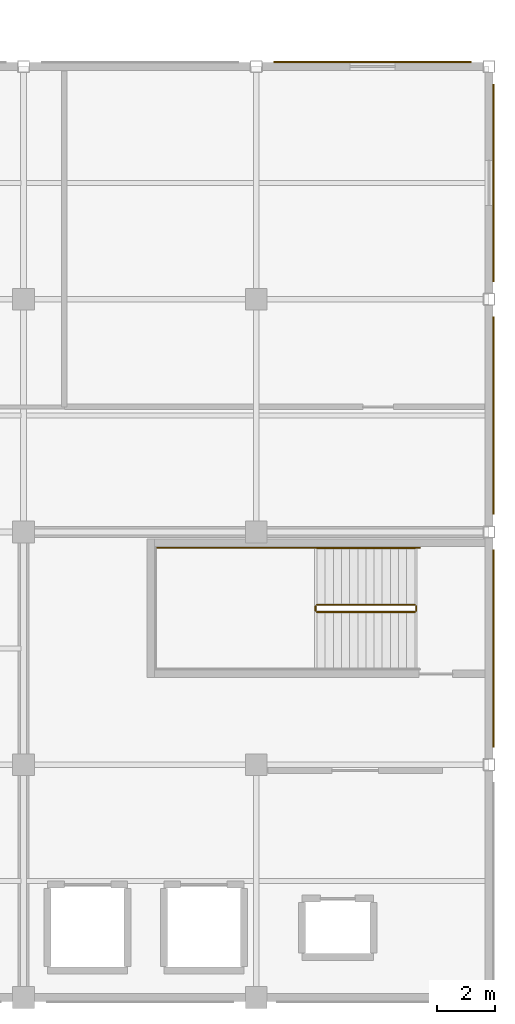
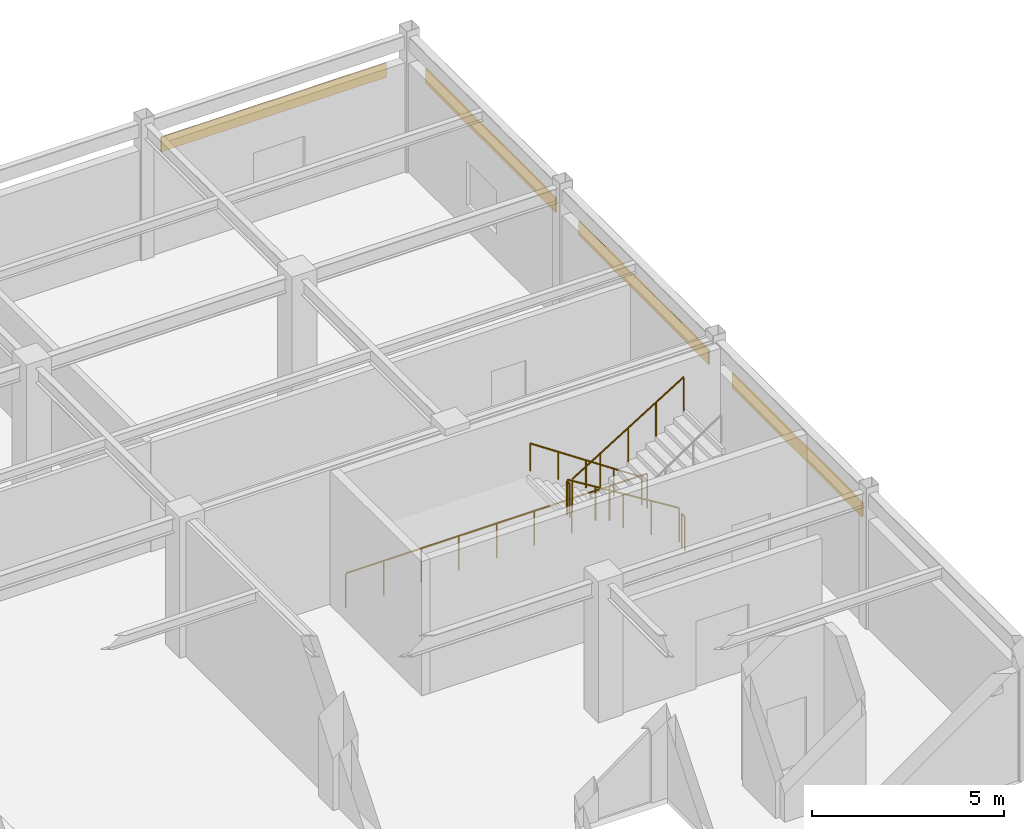
# One storey, part 42 of 42: 6 railings, 4 coverings.
"""IFC4 building model written with IfcOpenShell, lengths in metres."""

import ifcopenshell
import ifcopenshell.guid

model = None  # the IFC model being written
_history = None  # IfcOwnerHistory: only IFC2X3 demands one
_inside = {}  # id of a spatial element -> (the spatial element, [elements in it])
_under = {}  # id of a project, library or spatial element -> (it, [spatial elements below it])
_declared = {}  # id of a project -> (the project, [libraries it declares])
_typed = {}  # id of a type object -> (the type object, [elements of that type])
_made_of = {}  # id of a material, layer set ... -> (it, [elements and type objects made of it])


def new_model(schema):
    """Start an empty IFC model of exactly this schema.

    Asked for "IFC4X3", IfcOpenShell would pick the latest addendum, in which some entities
    have other attributes; the version numbers below select the first issue.
    IFC2X3 requires an IfcOwnerHistory on every rooted entity: one is made here for all.
    """
    global model, _history
    if schema == "IFC4X3":
        model = ifcopenshell.file(schema_version=(4, 3, 0, 0))
    else:
        model = ifcopenshell.file(schema=schema)
    _inside.clear()
    _under.clear()
    _declared.clear()
    _typed.clear()
    _made_of.clear()
    _history = None
    if model.schema == "IFC2X3":
        org = make("IfcOrganization", Name="unknown")
        user = make(
            "IfcPersonAndOrganization",
            ThePerson=make("IfcPerson", FamilyName="unknown"),
            TheOrganization=org,
        )
        app = make(
            "IfcApplication",
            ApplicationDeveloper=org,
            Version="unknown",
            ApplicationFullName="unknown",
            ApplicationIdentifier="unknown",
        )
        _history = make(
            "IfcOwnerHistory",
            OwningUser=user,
            OwningApplication=app,
            ChangeAction="ADDED",
            CreationDate=0,
        )
    return model


def make(cls, **values):
    """One entity of the class cls with the attributes given. An attribute that is None is left unset."""
    return model.create_entity(
        cls, **{name: value for name, value in values.items() if value is not None}
    )


def rooted(cls, **values):
    """An entity with a GlobalId (a new one), such as an element, a storey or a relation."""
    return make(cls, GlobalId=ifcopenshell.guid.new(), OwnerHistory=_history, **values)


def si_unit(unit_type, name, prefix=None):
    """IfcSIUnit, for example si_unit("LENGTHUNIT", "METRE", prefix="MILLI")."""
    return make("IfcSIUnit", UnitType=unit_type, Prefix=prefix, Name=name)


def assignment(units):
    """IfcUnitAssignment: the units of a project."""
    return None if units is None else make("IfcUnitAssignment", Units=units)


def point(xyz):
    """IfcCartesianPoint."""
    return None if xyz is None else make("IfcCartesianPoint", Coordinates=xyz)


def direction(xyz):
    """IfcDirection."""
    return None if xyz is None else make("IfcDirection", DirectionRatios=xyz)


def frame(location, z_axis=None, x_axis=None):
    """IfcAxis2Placement3D, a coordinate frame: its origin and axes. An axis left out is left unset."""
    return make(
        "IfcAxis2Placement3D",
        Location=point(location),
        Axis=direction(z_axis),
        RefDirection=direction(x_axis),
    )


def frame_2d(location, x_axis=None):
    """IfcAxis2Placement2D, a coordinate frame in the plane: its origin and x axis."""
    return make(
        "IfcAxis2Placement2D", Location=point(location), RefDirection=direction(x_axis)
    )


def origin():
    """The frame at (0, 0, 0) with its axes left unset."""
    return frame((0.0, 0.0, 0.0))


def origin_2d():
    """The frame at (0, 0) in the plane with its x axis left unset."""
    return frame_2d((0.0, 0.0))


def place(relative_to, where):
    """IfcLocalPlacement: puts the frame where relative to a parent placement (None: the world)."""
    return make(
        "IfcLocalPlacement", PlacementRelTo=relative_to, RelativePlacement=where
    )


def context(
    kind, dimensions, precision=None, world=None, true_north=None, identifier=None
):
    """IfcGeometricRepresentationContext, for example the 3D "Model" context."""
    return make(
        "IfcGeometricRepresentationContext",
        ContextIdentifier=identifier,
        ContextType=kind,
        CoordinateSpaceDimension=dimensions,
        Precision=precision,
        WorldCoordinateSystem=world,
        TrueNorth=true_north,
    )


def subcontext(parent, identifier, kind, view, scale=None):
    """IfcGeometricRepresentationSubContext, for example "Body" below "Model"."""
    return make(
        "IfcGeometricRepresentationSubContext",
        ContextIdentifier=identifier,
        ContextType=kind,
        ParentContext=parent,
        TargetScale=scale,
        TargetView=view,
    )


def project(units=None, contexts=None):
    """IfcProject with its units and contexts."""
    return rooted(
        "IfcProject",
        Name="project",
        RepresentationContexts=contexts,
        UnitsInContext=assignment(units),
    )


def spatial(cls, under=None, at=None, **own):
    """A site, building, storey or space (cls), placed at a placement, below another one or the project."""
    s = rooted(cls, ObjectPlacement=at, **own)
    if under is not None:
        _under.setdefault(under.id(), (under, []))[1].append(s)
    return s


def profile(cls, at=None, kind="AREA", **sizes):
    """A parametric profile (cls). Its sizes go by their IFC names, for example OverallWidth=200.0."""
    return make(cls, ProfileType=kind, Position=at, **sizes)


def rectangle(**sizes):
    """IfcRectangleProfileDef."""
    return profile("IfcRectangleProfileDef", **sizes)


def circle(**sizes):
    """IfcCircleProfileDef."""
    return profile("IfcCircleProfileDef", **sizes)


def extrude(swept, where, along, depth):
    """IfcExtrudedAreaSolid: the profile swept, set in the frame where, extruded along a direction by depth."""
    return make(
        "IfcExtrudedAreaSolid",
        SweptArea=swept,
        Position=where,
        ExtrudedDirection=direction(along),
        Depth=depth,
    )


def shape(context_of_items, identifier, shape_type, items):
    """IfcShapeRepresentation: the items that make up one representation, for example the "Body"."""
    return make(
        "IfcShapeRepresentation",
        ContextOfItems=context_of_items,
        RepresentationIdentifier=identifier,
        RepresentationType=shape_type,
        Items=items,
    )


def material(Name=None, Category=None):
    """IfcMaterial."""
    return make("IfcMaterial", Name=Name, Category=Category)


def layer(
    of_material, thickness, ventilated=None, Name=None, Category=None, Priority=None
):
    """IfcMaterialLayer: one layer of a wall or slab, of a material (None: an air gap)."""
    return make(
        "IfcMaterialLayer",
        Material=of_material,
        LayerThickness=thickness,
        IsVentilated=ventilated,
        Name=Name,
        Category=Category,
        Priority=Priority,
    )


def layer_set(layers, Name=None):
    """IfcMaterialLayerSet."""
    return make("IfcMaterialLayerSet", MaterialLayers=layers, LayerSetName=Name)


def made_of(thing, what):
    """Note that an element or type object is made of a material, layer set ...; save() writes the relation."""
    if what is not None:
        _made_of.setdefault(what.id(), (what, []))[1].append(thing)
    return thing


def type_object(cls, material=None, **own):
    """A type object (cls), such as IfcWallType, which elements share."""
    return made_of(rooted(cls, **own), material)


def element(
    cls,
    number,
    at=None,
    inside=None,
    cuts=None,
    type_object=None,
    material=None,
    context=None,
    identifier="Body",
    shape_type=None,
    held_by="IfcProductDefinitionShape",
    body=None,
    shapes=None,
    **own,
):
    """One element of the class cls, such as IfcWall. Its Tag is "e" and its number.

    at: its placement. inside: the storey or other place that contains it. cuts: it is an
    opening in that element (IfcRelVoidsElement). A single representation is given by context,
    identifier, shape_type and body (its items); several are given by shapes. held_by: the class
    of the entity that holds the representations. save() writes the other relations.
    """
    e = rooted(cls, Tag="e%d" % number, ObjectPlacement=at, **own)
    if body is not None:
        shapes = [shape(context, identifier, shape_type, body)]
    if shapes is not None:
        e.Representation = make(held_by, Representations=shapes)
    if inside is not None:
        _inside.setdefault(inside.id(), (inside, []))[1].append(e)
    if cuts is not None:
        rooted(
            "IfcRelVoidsElement", RelatingBuildingElement=cuts, RelatedOpeningElement=e
        )
    if type_object is not None:
        _typed.setdefault(type_object.id(), (type_object, []))[1].append(e)
    return made_of(e, material)


def aggregate(whole, parts):
    """IfcRelAggregates: a whole, such as a stair, and the parts it consists of."""
    return rooted("IfcRelAggregates", RelatingObject=whole, RelatedObjects=parts)


def save(model, path):
    """Write the relations noted so far, then the file.

    IfcRelAggregates (storeys below a building ...), IfcRelContainedInSpatialStructure (elements
    in a storey), IfcRelDefinesByType, IfcRelAssociatesMaterial and IfcRelDeclares: one each for
    every whole, place, type object, material and project.
    """
    for whole, parts in _under.values():
        aggregate(whole, parts)
    for where, things in _inside.values():
        rooted(
            "IfcRelContainedInSpatialStructure",
            RelatedElements=things,
            RelatingStructure=where,
        )
    for kind, things in _typed.values():
        rooted("IfcRelDefinesByType", RelatedObjects=things, RelatingType=kind)
    for what, things in _made_of.values():
        rooted("IfcRelAssociatesMaterial", RelatedObjects=things, RelatingMaterial=what)
    for by, libraries in _declared.values():
        rooted("IfcRelDeclares", RelatingContext=by, RelatedDefinitions=libraries)
    model.write(path)


model = new_model("IFC4")

# Units and contexts
model_context = context("Model", 3, precision=1e-05, world=origin(), true_north=direction((0.0, 1.0)))
body_context = subcontext(model_context, "Body", "Model", "MODEL_VIEW")
ifc_project = project(units=[si_unit("LENGTHUNIT", "METRE"), si_unit("AREAUNIT", "SQUARE_METRE"), si_unit("VOLUMEUNIT", "CUBIC_METRE"), si_unit("PLANEANGLEUNIT", "RADIAN"), si_unit("MASSUNIT", "GRAM", prefix="KILO")], contexts=[model_context])

# Site, building, storey
site_placement = place(None, origin())
site = spatial("IfcSite", under=ifc_project, at=site_placement, CompositionType="ELEMENT")
building_placement = place(site_placement, origin())
building = spatial("IfcBuilding", under=site, at=building_placement, Name="Solmirada Galleria", CompositionType="ELEMENT")
storey_placement = place(building_placement, frame((0.0, 0.0, 28.39990234375)))
storey = spatial("IfcBuildingStorey", under=building, at=storey_placement, Name="L06", CompositionType="ELEMENT", Elevation=28.39990234375)

# Coverings
ifc_material_1 = material(Name="Limestone cladding panels", Category="masonry")
ifc_layer_1 = layer(ifc_material_1, 0.044921875)
ifc_layer_set_1 = layer_set([ifc_layer_1], Name="Limestone cladding panels")
covering_type_1 = type_object("IfcCoveringType", Name="COV-CLAD-LIME", PredefinedType="CLADDING", material=ifc_layer_set_1)
for number, where, z_axis, x_axis, name in (
    (1, (176.157470703125, 116.0, 2.990234375), (0.0, 0.0, 1.0), (0.0, -1.0, 0.0), "Postmodern facade cladding L06-395"),
    (2, (176.157470703125, 100.0, 2.990234375), (0.0, 0.0, 1.0), (0.0, -1.0, 0.0), "Postmodern facade cladding L06-397"),
):
    element("IfcCovering", number, at=place(storey_placement, frame(where, z_axis=z_axis, x_axis=x_axis)), inside=storey, type_object=covering_type_1, Name=name, PredefinedType="CLADDING", context=body_context, shape_type="SweptSolid", body=[
        extrude(rectangle(XDim=6.7939453125, YDim=0.044921875, at=origin_2d()), origin(), (0.0, 0.0, 1.0), 0.4599609375),
    ])
ifc_material_2 = material(Name="Glazed terracotta facade panels", Category="masonry")
ifc_layer_2 = layer(ifc_material_2, 0.0400390625)
ifc_layer_set_2 = layer_set([ifc_layer_2], Name="Glazed terracotta facade panels")
covering_type_2 = type_object("IfcCoveringType", Name="COV-CLAD-TERRA", PredefinedType="CLADDING", material=ifc_layer_set_2)
for number, where, z_axis, x_axis, name in (
    (3, (172.0, 120.155029296875, 2.990234375), (0.0, 0.0, 1.0), (1.0, 0.0, 0.0), "Postmodern facade cladding L06-394"),
    (4, (176.155029296875, 108.0, 2.990234375), (0.0, 0.0, 1.0), (0.0, -1.0, 0.0), "Postmodern facade cladding L06-396"),
):
    element("IfcCovering", number, at=place(storey_placement, frame(where, z_axis=z_axis, x_axis=x_axis)), inside=storey, type_object=covering_type_2, Name=name, PredefinedType="CLADDING", context=body_context, shape_type="SweptSolid", body=[
        extrude(rectangle(XDim=6.7939453125, YDim=0.0400390625, at=origin_2d()), origin(), (0.0, 0.0, 1.0), 0.4599609375),
    ])

# Railings
ifc_material_3 = material(Name="Painted steel tubular railing", Category="steel")
railing_type_1 = type_object("IfcRailingType", Name="RAIL-STAIR-GUARD", PredefinedType="GUARDRAIL", material=ifc_material_3)
railing_1_placement = place(storey_placement, frame((173.449951171875, 101.5, 0.173095703125)))
element("IfcRailing", 5, at=railing_1_placement, inside=storey, type_object=railing_type_1, Name="L06 ST4 stair guard 1", PredefinedType="GUARDRAIL", context=body_context, shape_type="SweptSolid", body=[
    extrude(circle(Radius=0.02392578125, at=origin_2d()), frame((0.0, 0.0, 1.076171875), z_axis=(-0.850606129759, 0.0, 0.525803396734), x_axis=(0.0, -1.0, 0.0)), (0.0, 0.0, 1.0), 3.949951171875),
    extrude(circle(Radius=0.02099609375, at=origin_2d()), origin(), (0.0, 0.0, 1.0), 1.048095703125),
    extrude(circle(Radius=0.02099609375, at=origin_2d()), frame((-0.83984375, 0.0, 0.519287109375)), (0.0, 0.0, 1.0), 1.048095703125),
    extrude(circle(Radius=0.02099609375, at=origin_2d()), frame((-1.679931640625, 0.0, 1.03857421875)), (0.0, 0.0, 1.0), 1.048095703125),
    extrude(circle(Radius=0.02099609375, at=origin_2d()), frame((-2.52001953125, 0.0, 1.5576171875)), (0.0, 0.0, 1.0), 1.048095703125),
    extrude(circle(Radius=0.02099609375, at=origin_2d()), frame((-3.35986328125, 0.0, 2.076904296875)), (0.0, 0.0, 1.0), 1.048095703125),
])
railing_2_placement = place(storey_placement, frame((170.0400390625, 101.449951171875, 2.25)))
element("IfcRailing", 6, at=railing_2_placement, inside=storey, type_object=railing_type_1, Name="L06 ST4 stair guard 2", PredefinedType="GUARDRAIL", context=body_context, shape_type="SweptSolid", body=[
    extrude(circle(Radius=0.02392578125, at=origin_2d()), frame((0.0, 0.0, 1.076171875), z_axis=(0.0, -1.0, 0.0), x_axis=(1.0, 0.0, 0.0)), (0.0, 0.0, 1.0), 0.14990234375),
    extrude(circle(Radius=0.02099609375, at=origin_2d()), origin(), (0.0, 0.0, 1.0), 1.048095703125),
    extrude(circle(Radius=0.02099609375, at=origin_2d()), frame((0.0, -0.14990234375, 0.0)), (0.0, 0.0, 1.0), 1.048095703125),
])
railing_3_placement = place(storey_placement, frame((170.090087890625, 101.25, 2.423095703125)))
element("IfcRailing", 7, at=railing_3_placement, inside=storey, type_object=railing_type_1, Name="L06 ST4 stair guard 3", PredefinedType="GUARDRAIL", context=body_context, shape_type="SweptSolid", body=[
    extrude(circle(Radius=0.02392578125, at=origin_2d()), frame((0.0, 0.0, 1.076171875), z_axis=(0.850606129759, 0.0, 0.525803396734), x_axis=(0.0, 1.0, 0.0)), (0.0, 0.0, 1.0), 3.949951171875),
    extrude(circle(Radius=0.02099609375, at=origin_2d()), origin(), (0.0, 0.0, 1.0), 1.048095703125),
    extrude(circle(Radius=0.02099609375, at=origin_2d()), frame((0.83984375, 0.0, 0.519287109375)), (0.0, 0.0, 1.0), 1.048095703125),
    extrude(circle(Radius=0.02099609375, at=origin_2d()), frame((1.679931640625, 0.0, 1.03857421875)), (0.0, 0.0, 1.0), 1.048095703125),
    extrude(circle(Radius=0.02099609375, at=origin_2d()), frame((2.52001953125, 0.0, 1.5576171875)), (0.0, 0.0, 1.0), 1.048095703125),
    extrude(circle(Radius=0.02099609375, at=origin_2d()), frame((3.35986328125, 0.0, 2.076904296875)), (0.0, 0.0, 1.0), 1.048095703125),
])
railing_4_placement = place(storey_placement, frame((173.5, 101.449951171875, 0.0)))
element("IfcRailing", 8, at=railing_4_placement, inside=storey, type_object=railing_type_1, Name="L06 ST4 stair guard 4", PredefinedType="GUARDRAIL", context=body_context, shape_type="SweptSolid", body=[
    extrude(circle(Radius=0.02392578125, at=origin_2d()), frame((0.0, 0.0, 1.076171875), z_axis=(0.0, -1.0, 0.0), x_axis=(1.0, 0.0, 0.0)), (0.0, 0.0, 1.0), 0.14990234375),
    extrude(circle(Radius=0.02099609375, at=origin_2d()), origin(), (0.0, 0.0, 1.0), 1.048095703125),
    extrude(circle(Radius=0.02099609375, at=origin_2d()), frame((0.0, -0.14990234375, 0.0)), (0.0, 0.0, 1.0), 1.048095703125),
])
railing_5_placement = place(storey_placement, frame((164.5400390625, 103.4599609375, 0.0)))
element("IfcRailing", 9, at=railing_5_placement, inside=storey, type_object=railing_type_1, Name="Stair ST4 well edge guard L06-3", PredefinedType="GUARDRAIL", context=body_context, shape_type="SweptSolid", body=[
    extrude(circle(Radius=0.02392578125, at=origin_2d()), frame((0.0, 0.0, 1.09619140625), z_axis=(1.0, 0.0, 0.0), x_axis=(0.0, 1.0, 0.0)), (0.0, 0.0, 1.0), 9.080078125),
    extrude(circle(Radius=0.02099609375, at=origin_2d()), origin(), (0.0, 0.0, 1.0), 1.068115234375),
    extrude(circle(Radius=0.02099609375, at=origin_2d()), frame((1.135009765625, 0.0, 0.0)), (0.0, 0.0, 1.0), 1.068115234375),
    extrude(circle(Radius=0.02099609375, at=origin_2d()), frame((2.27001953125, 0.0, 0.0)), (0.0, 0.0, 1.0), 1.068115234375),
    extrude(circle(Radius=0.02099609375, at=origin_2d()), frame((3.405029296875, 0.0, 0.0)), (0.0, 0.0, 1.0), 1.068115234375),
    extrude(circle(Radius=0.02099609375, at=origin_2d()), frame((4.5400390625, 0.0, 0.0)), (0.0, 0.0, 1.0), 1.068115234375),
    extrude(circle(Radius=0.02099609375, at=origin_2d()), frame((5.675048828125, 0.0, 0.0)), (0.0, 0.0, 1.0), 1.068115234375),
    extrude(circle(Radius=0.02099609375, at=origin_2d()), frame((6.81005859375, 0.0, 0.0)), (0.0, 0.0, 1.0), 1.068115234375),
    extrude(circle(Radius=0.02099609375, at=origin_2d()), frame((7.945068359375, 0.0, 0.0)), (0.0, 0.0, 1.0), 1.068115234375),
    extrude(circle(Radius=0.02099609375, at=origin_2d()), frame((9.080078125, 0.0, 0.0)), (0.0, 0.0, 1.0), 1.068115234375),
])
railing_type_2 = type_object("IfcRailingType", Name="RAIL-STAIR-HAND", PredefinedType="HANDRAIL", material=ifc_material_3)
railing_6_placement = place(storey_placement, frame((173.449951171875, 103.449951171875, 0.173095703125)))
element("IfcRailing", 10, at=railing_6_placement, inside=storey, type_object=railing_type_2, Name="L06 ST4 stair handrail 1", PredefinedType="HANDRAIL", context=body_context, shape_type="SweptSolid", body=[
    extrude(circle(Radius=0.02392578125, at=origin_2d()), frame((0.0, 0.0, 0.8759765625), z_axis=(-0.830896709279, 0.0, 0.556426687452), x_axis=(0.0, -1.0, 0.0)), (0.0, 0.0, 1.0), 4.043701171875),
    extrude(circle(Radius=0.02099609375, at=origin_2d()), origin(), (0.0, 0.0, 1.0), 0.847900390625),
    extrude(circle(Radius=0.02099609375, at=origin_2d()), frame((-0.83984375, 0.0, 0.5625)), (0.0, 0.0, 1.0), 0.847900390625),
    extrude(circle(Radius=0.02099609375, at=origin_2d()), frame((-1.679931640625, 0.0, 1.125)), (0.0, 0.0, 1.0), 0.847900390625),
    extrude(circle(Radius=0.02099609375, at=origin_2d()), frame((-2.52001953125, 0.0, 1.6875)), (0.0, 0.0, 1.0), 0.847900390625),
    extrude(circle(Radius=0.02099609375, at=origin_2d()), frame((-3.35986328125, 0.0, 2.25)), (0.0, 0.0, 1.0), 0.847900390625),
])

save(model, "model.ifc")
